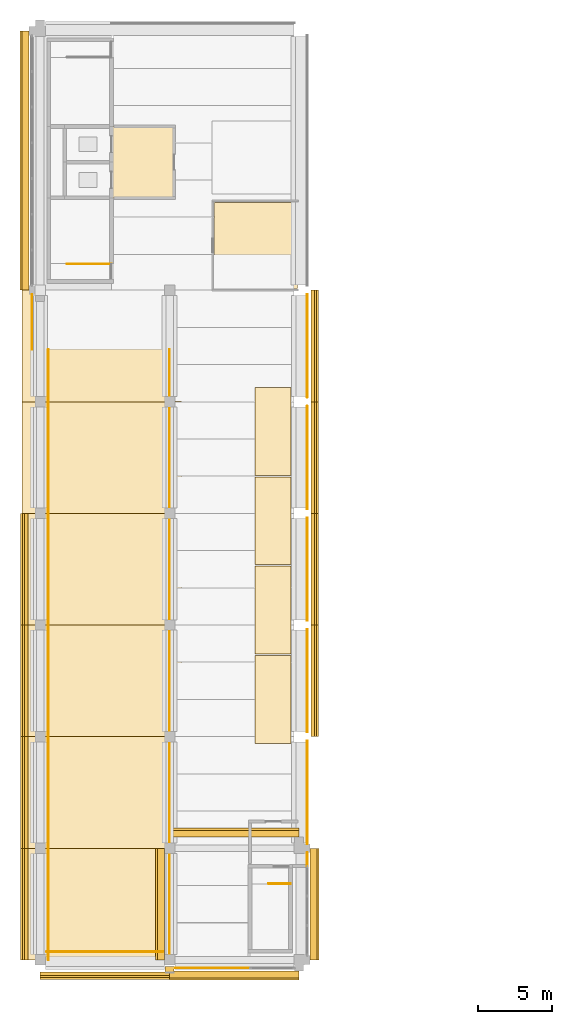
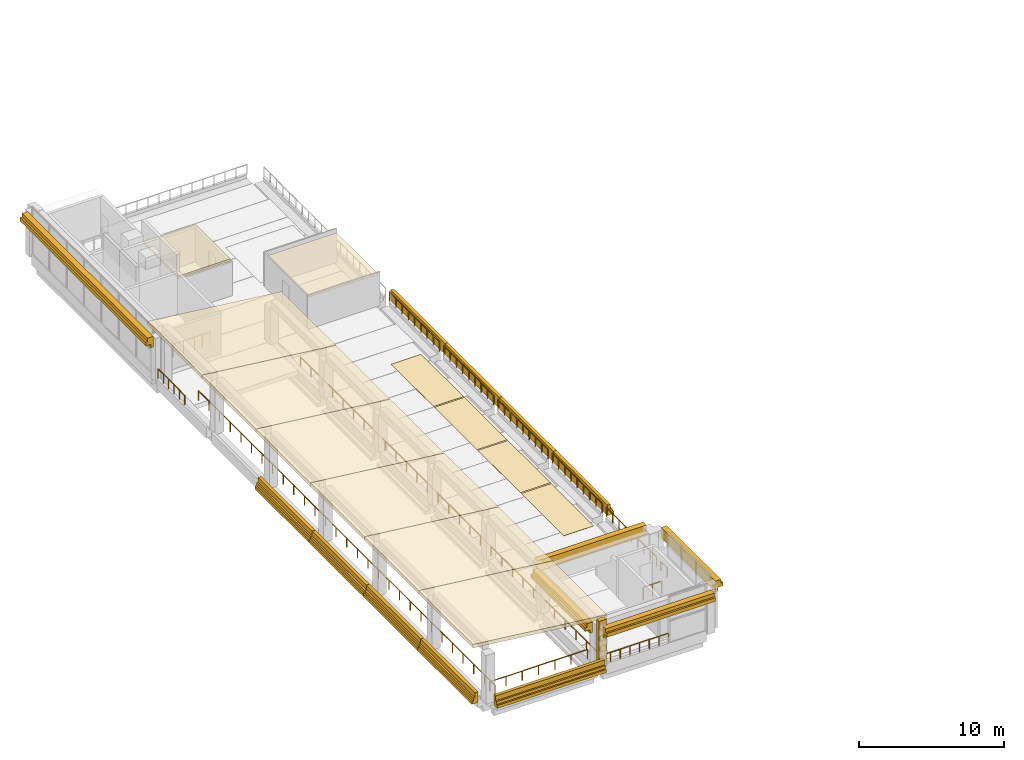
# One storey, part 12 of 17: 27 coverings, 14 railings, 2 elements without a shape of their own.
"""IFC4 building model written with IfcOpenShell, lengths in metres."""

import ifcopenshell
import ifcopenshell.guid

model = None  # the IFC model being written
_history = None  # IfcOwnerHistory: only IFC2X3 demands one
_inside = {}  # id of a spatial element -> (the spatial element, [elements in it])
_under = {}  # id of a project, library or spatial element -> (it, [spatial elements below it])
_declared = {}  # id of a project -> (the project, [libraries it declares])
_typed = {}  # id of a type object -> (the type object, [elements of that type])
_made_of = {}  # id of a material, layer set ... -> (it, [elements and type objects made of it])


def new_model(schema):
    """Start an empty IFC model of exactly this schema.

    Asked for "IFC4X3", IfcOpenShell would pick the latest addendum, in which some entities
    have other attributes; the version numbers below select the first issue.
    IFC2X3 requires an IfcOwnerHistory on every rooted entity: one is made here for all.
    """
    global model, _history
    if schema == "IFC4X3":
        model = ifcopenshell.file(schema_version=(4, 3, 0, 0))
    else:
        model = ifcopenshell.file(schema=schema)
    _inside.clear()
    _under.clear()
    _declared.clear()
    _typed.clear()
    _made_of.clear()
    _history = None
    if model.schema == "IFC2X3":
        org = make("IfcOrganization", Name="unknown")
        user = make(
            "IfcPersonAndOrganization",
            ThePerson=make("IfcPerson", FamilyName="unknown"),
            TheOrganization=org,
        )
        app = make(
            "IfcApplication",
            ApplicationDeveloper=org,
            Version="unknown",
            ApplicationFullName="unknown",
            ApplicationIdentifier="unknown",
        )
        _history = make(
            "IfcOwnerHistory",
            OwningUser=user,
            OwningApplication=app,
            ChangeAction="ADDED",
            CreationDate=0,
        )
    return model


def make(cls, **values):
    """One entity of the class cls with the attributes given. An attribute that is None is left unset."""
    return model.create_entity(
        cls, **{name: value for name, value in values.items() if value is not None}
    )


def rooted(cls, **values):
    """An entity with a GlobalId (a new one), such as an element, a storey or a relation."""
    return make(cls, GlobalId=ifcopenshell.guid.new(), OwnerHistory=_history, **values)


def si_unit(unit_type, name, prefix=None):
    """IfcSIUnit, for example si_unit("LENGTHUNIT", "METRE", prefix="MILLI")."""
    return make("IfcSIUnit", UnitType=unit_type, Prefix=prefix, Name=name)


def assignment(units):
    """IfcUnitAssignment: the units of a project."""
    return None if units is None else make("IfcUnitAssignment", Units=units)


def point(xyz):
    """IfcCartesianPoint."""
    return None if xyz is None else make("IfcCartesianPoint", Coordinates=xyz)


def direction(xyz):
    """IfcDirection."""
    return None if xyz is None else make("IfcDirection", DirectionRatios=xyz)


def frame(location, z_axis=None, x_axis=None):
    """IfcAxis2Placement3D, a coordinate frame: its origin and axes. An axis left out is left unset."""
    return make(
        "IfcAxis2Placement3D",
        Location=point(location),
        Axis=direction(z_axis),
        RefDirection=direction(x_axis),
    )


def frame_2d(location, x_axis=None):
    """IfcAxis2Placement2D, a coordinate frame in the plane: its origin and x axis."""
    return make(
        "IfcAxis2Placement2D", Location=point(location), RefDirection=direction(x_axis)
    )


def origin():
    """The frame at (0, 0, 0) with its axes left unset."""
    return frame((0.0, 0.0, 0.0))


def origin_2d():
    """The frame at (0, 0) in the plane with its x axis left unset."""
    return frame_2d((0.0, 0.0))


def place(relative_to, where):
    """IfcLocalPlacement: puts the frame where relative to a parent placement (None: the world)."""
    return make(
        "IfcLocalPlacement", PlacementRelTo=relative_to, RelativePlacement=where
    )


def context(
    kind, dimensions, precision=None, world=None, true_north=None, identifier=None
):
    """IfcGeometricRepresentationContext, for example the 3D "Model" context."""
    return make(
        "IfcGeometricRepresentationContext",
        ContextIdentifier=identifier,
        ContextType=kind,
        CoordinateSpaceDimension=dimensions,
        Precision=precision,
        WorldCoordinateSystem=world,
        TrueNorth=true_north,
    )


def subcontext(parent, identifier, kind, view, scale=None):
    """IfcGeometricRepresentationSubContext, for example "Body" below "Model"."""
    return make(
        "IfcGeometricRepresentationSubContext",
        ContextIdentifier=identifier,
        ContextType=kind,
        ParentContext=parent,
        TargetScale=scale,
        TargetView=view,
    )


def project(units=None, contexts=None):
    """IfcProject with its units and contexts."""
    return rooted(
        "IfcProject",
        Name="project",
        RepresentationContexts=contexts,
        UnitsInContext=assignment(units),
    )


def spatial(cls, under=None, at=None, **own):
    """A site, building, storey or space (cls), placed at a placement, below another one or the project."""
    s = rooted(cls, ObjectPlacement=at, **own)
    if under is not None:
        _under.setdefault(under.id(), (under, []))[1].append(s)
    return s


def polyline(points):
    """IfcPolyline through the points."""
    return make("IfcPolyline", Points=[point(p) for p in points])


def profile(cls, at=None, kind="AREA", **sizes):
    """A parametric profile (cls). Its sizes go by their IFC names, for example OverallWidth=200.0."""
    return make(cls, ProfileType=kind, Position=at, **sizes)


def circle(**sizes):
    """IfcCircleProfileDef."""
    return profile("IfcCircleProfileDef", **sizes)


def outline(outer, holes=None, kind="AREA"):
    """IfcArbitraryClosedProfileDef: a profile drawn as a closed curve; with holes, ...WithVoids."""
    if holes is None:
        return make("IfcArbitraryClosedProfileDef", ProfileType=kind, OuterCurve=outer)
    return make(
        "IfcArbitraryProfileDefWithVoids",
        ProfileType=kind,
        OuterCurve=outer,
        InnerCurves=holes,
    )


def extrude(swept, where, along, depth):
    """IfcExtrudedAreaSolid: the profile swept, set in the frame where, extruded along a direction by depth."""
    return make(
        "IfcExtrudedAreaSolid",
        SweptArea=swept,
        Position=where,
        ExtrudedDirection=direction(along),
        Depth=depth,
    )


def shape(context_of_items, identifier, shape_type, items):
    """IfcShapeRepresentation: the items that make up one representation, for example the "Body"."""
    return make(
        "IfcShapeRepresentation",
        ContextOfItems=context_of_items,
        RepresentationIdentifier=identifier,
        RepresentationType=shape_type,
        Items=items,
    )


def material(Name=None, Category=None):
    """IfcMaterial."""
    return make("IfcMaterial", Name=Name, Category=Category)


def layer(
    of_material, thickness, ventilated=None, Name=None, Category=None, Priority=None
):
    """IfcMaterialLayer: one layer of a wall or slab, of a material (None: an air gap)."""
    return make(
        "IfcMaterialLayer",
        Material=of_material,
        LayerThickness=thickness,
        IsVentilated=ventilated,
        Name=Name,
        Category=Category,
        Priority=Priority,
    )


def layer_set(layers, Name=None):
    """IfcMaterialLayerSet."""
    return make("IfcMaterialLayerSet", MaterialLayers=layers, LayerSetName=Name)


def material_profile(
    of_material, cross_section, Name=None, Category=None, Priority=None
):
    """IfcMaterialProfile: a cross section and its material."""
    return make(
        "IfcMaterialProfile",
        Name=Name,
        Material=of_material,
        Profile=cross_section,
        Priority=Priority,
        Category=Category,
    )


def profile_set(profiles, Name=None, composite=None):
    """IfcMaterialProfileSet."""
    return make(
        "IfcMaterialProfileSet",
        Name=Name,
        MaterialProfiles=profiles,
        CompositeProfile=composite,
    )


def made_of(thing, what):
    """Note that an element or type object is made of a material, layer set ...; save() writes the relation."""
    if what is not None:
        _made_of.setdefault(what.id(), (what, []))[1].append(thing)
    return thing


def type_object(cls, material=None, **own):
    """A type object (cls), such as IfcWallType, which elements share."""
    return made_of(rooted(cls, **own), material)


def element(
    cls,
    number,
    at=None,
    inside=None,
    cuts=None,
    type_object=None,
    material=None,
    context=None,
    identifier="Body",
    shape_type=None,
    held_by="IfcProductDefinitionShape",
    body=None,
    shapes=None,
    **own,
):
    """One element of the class cls, such as IfcWall. Its Tag is "e" and its number.

    at: its placement. inside: the storey or other place that contains it. cuts: it is an
    opening in that element (IfcRelVoidsElement). A single representation is given by context,
    identifier, shape_type and body (its items); several are given by shapes. held_by: the class
    of the entity that holds the representations. save() writes the other relations.
    """
    e = rooted(cls, Tag="e%d" % number, ObjectPlacement=at, **own)
    if body is not None:
        shapes = [shape(context, identifier, shape_type, body)]
    if shapes is not None:
        e.Representation = make(held_by, Representations=shapes)
    if inside is not None:
        _inside.setdefault(inside.id(), (inside, []))[1].append(e)
    if cuts is not None:
        rooted(
            "IfcRelVoidsElement", RelatingBuildingElement=cuts, RelatedOpeningElement=e
        )
    if type_object is not None:
        _typed.setdefault(type_object.id(), (type_object, []))[1].append(e)
    return made_of(e, material)


def aggregate(whole, parts):
    """IfcRelAggregates: a whole, such as a stair, and the parts it consists of."""
    return rooted("IfcRelAggregates", RelatingObject=whole, RelatedObjects=parts)


def save(model, path):
    """Write the relations noted so far, then the file.

    IfcRelAggregates (storeys below a building ...), IfcRelContainedInSpatialStructure (elements
    in a storey), IfcRelDefinesByType, IfcRelAssociatesMaterial and IfcRelDeclares: one each for
    every whole, place, type object, material and project.
    """
    for whole, parts in _under.values():
        aggregate(whole, parts)
    for where, things in _inside.values():
        rooted(
            "IfcRelContainedInSpatialStructure",
            RelatedElements=things,
            RelatingStructure=where,
        )
    for kind, things in _typed.values():
        rooted("IfcRelDefinesByType", RelatedObjects=things, RelatingType=kind)
    for what, things in _made_of.values():
        rooted("IfcRelAssociatesMaterial", RelatedObjects=things, RelatingMaterial=what)
    for by, libraries in _declared.values():
        rooted("IfcRelDeclares", RelatingContext=by, RelatedDefinitions=libraries)
    model.write(path)


model = new_model("IFC4")

# Units and contexts
model_context = context("Model", 3, precision=1e-05, world=origin(), true_north=direction((0.0, 1.0)))
body_context = subcontext(model_context, "Body", "Model", "MODEL_VIEW")
ifc_project = project(units=[si_unit("LENGTHUNIT", "METRE"), si_unit("AREAUNIT", "SQUARE_METRE"), si_unit("VOLUMEUNIT", "CUBIC_METRE"), si_unit("PLANEANGLEUNIT", "RADIAN"), si_unit("MASSUNIT", "GRAM", prefix="KILO")], contexts=[model_context])

# Site, building, storey
site_placement = place(None, origin())
site = spatial("IfcSite", under=ifc_project, at=site_placement, CompositionType="ELEMENT")
building_placement = place(site_placement, origin())
building = spatial("IfcBuilding", under=site, at=building_placement, Name="Cour d'Honneur Mobility Palace", CompositionType="ELEMENT")
storey_placement = place(building_placement, frame((0.0, 0.0, 34.10009765625)))
storey = spatial("IfcBuildingStorey", under=building, at=storey_placement, Name="L09", CompositionType="ELEMENT", Elevation=34.10009765625)

# Railings
ifc_material_1 = material(Name="Painted steel", Category="steel")
railing_type_1 = type_object("IfcRailingType", Name="Balustrade", PredefinedType="BALUSTRADE", material=ifc_material_1)
railing_1_placement = place(storey_placement, frame((8.699951171875, -0.550048828125, 0.2998046875)))
element("IfcRailing", 1, at=railing_1_placement, inside=storey, type_object=railing_type_1, Name="Balustrade BAL-412", PredefinedType="BALUSTRADE", context=body_context, shape_type="SweptSolid", body=[
    extrude(circle(Radius=0.02392578125, at=origin_2d()), frame((0.0, 0.0, 0.77587890625), z_axis=(1.0, 0.0, 0.0), x_axis=(0.0, 1.0, 0.0)), (0.0, 0.0, 1.0), 5.400146484375),
    extrude(circle(Radius=0.02099609375, at=origin_2d()), origin(), (0.0, 0.0, 1.0), 0.751953125),
    extrude(circle(Radius=0.02099609375, at=origin_2d()), frame((0.771484375, 0.0, 0.0)), (0.0, 0.0, 1.0), 0.751953125),
    extrude(circle(Radius=0.02099609375, at=origin_2d()), frame((1.54296875, 0.0, 0.0)), (0.0, 0.0, 1.0), 0.751953125),
    extrude(circle(Radius=0.02099609375, at=origin_2d()), frame((2.314453125, 0.0, 0.0)), (0.0, 0.0, 1.0), 0.751953125),
    extrude(circle(Radius=0.02099609375, at=origin_2d()), frame((3.085693359375, 0.0, 0.0)), (0.0, 0.0, 1.0), 0.751953125),
    extrude(circle(Radius=0.02099609375, at=origin_2d()), frame((3.857177734375, 0.0, 0.0)), (0.0, 0.0, 1.0), 0.751953125),
    extrude(circle(Radius=0.02099609375, at=origin_2d()), frame((4.628662109375, 0.0, 0.0)), (0.0, 0.0, 1.0), 0.751953125),
    extrude(circle(Radius=0.02099609375, at=origin_2d()), frame((5.400146484375, 0.0, 0.0)), (0.0, 0.0, 1.0), 0.751953125),
])
railing_2_placement = place(storey_placement, frame((17.949951171875, 6.300048828125, 0.2998046875)))
element("IfcRailing", 2, at=railing_2_placement, inside=storey, type_object=railing_type_1, Name="Balustrade BAL-413", PredefinedType="BALUSTRADE", context=body_context, shape_type="SweptSolid", body=[
    extrude(circle(Radius=0.02392578125, at=origin_2d()), frame((0.0, 0.0, 0.77587890625), z_axis=(0.0, 1.0, 0.0), x_axis=(-1.0, 0.0, 0.0)), (0.0, 0.0, 1.0), 0.89990234375),
    extrude(circle(Radius=0.02099609375, at=origin_2d()), origin(), (0.0, 0.0, 1.0), 0.751953125),
    extrude(circle(Radius=0.02099609375, at=origin_2d()), frame((0.0, 0.89990234375, 0.0)), (0.0, 0.0, 1.0), 0.751953125),
])
for number, where, name in (
    (3, (17.949951171875, 7.800048828125, 0.2998046875), "Balustrade BAL-414"),
    (4, (17.949951171875, 15.300048828125, 0.2998046875), "Balustrade BAL-415"),
    (5, (17.949951171875, 22.800048828125, 0.2998046875), "Balustrade BAL-416"),
    (6, (17.949951171875, 30.300048828125, 0.2998046875), "Balustrade BAL-417"),
    (7, (17.949951171875, 37.800048828125, 0.2998046875), "Balustrade BAL-418"),
):
    element("IfcRailing", number, at=place(storey_placement, frame(where)), inside=storey, type_object=railing_type_1, Name=name, PredefinedType="BALUSTRADE", context=body_context, shape_type="SweptSolid", body=[
        extrude(circle(Radius=0.02392578125, at=origin_2d()), frame((0.0, 0.0, 0.77587890625), z_axis=(0.0, 1.0, 0.0), x_axis=(-1.0, 0.0, 0.0)), (0.0, 0.0, 1.0), 6.89990234375),
        extrude(circle(Radius=0.02099609375, at=origin_2d()), origin(), (0.0, 0.0, 1.0), 0.751953125),
        extrude(circle(Radius=0.02099609375, at=origin_2d()), frame((0.0, 0.862548828125, 0.0)), (0.0, 0.0, 1.0), 0.751953125),
        extrude(circle(Radius=0.02099609375, at=origin_2d()), frame((0.0, 1.72509765625, 0.0)), (0.0, 0.0, 1.0), 0.751953125),
        extrude(circle(Radius=0.02099609375, at=origin_2d()), frame((0.0, 2.58740234375, 0.0)), (0.0, 0.0, 1.0), 0.751953125),
        extrude(circle(Radius=0.02099609375, at=origin_2d()), frame((0.0, 3.449951171875, 0.0)), (0.0, 0.0, 1.0), 0.751953125),
        extrude(circle(Radius=0.02099609375, at=origin_2d()), frame((0.0, 4.3125, 0.0)), (0.0, 0.0, 1.0), 0.751953125),
        extrude(circle(Radius=0.02099609375, at=origin_2d()), frame((0.0, 5.1748046875, 0.0)), (0.0, 0.0, 1.0), 0.751953125),
        extrude(circle(Radius=0.02099609375, at=origin_2d()), frame((0.0, 6.037353515625, 0.0)), (0.0, 0.0, 1.0), 0.751953125),
        extrude(circle(Radius=0.02099609375, at=origin_2d()), frame((0.0, 6.89990234375, 0.0)), (0.0, 0.0, 1.0), 0.751953125),
    ])
railing_3_placement = place(storey_placement, frame((-0.550048828125, 44.699951171875, 0.2998046875)))
element("IfcRailing", 8, at=railing_3_placement, inside=storey, type_object=railing_type_1, Name="Balustrade BAL-421", PredefinedType="BALUSTRADE", context=body_context, shape_type="SweptSolid", body=[
    extrude(circle(Radius=0.02392578125, at=origin_2d()), frame((0.0, 0.0, 0.77587890625), z_axis=(0.0, -1.0, 0.0), x_axis=(1.0, 0.0, 0.0)), (0.0, 0.0, 1.0), 3.699951171875),
    extrude(circle(Radius=0.02099609375, at=origin_2d()), origin(), (0.0, 0.0, 1.0), 0.751953125),
    extrude(circle(Radius=0.02099609375, at=origin_2d()), frame((0.0, -0.739990234375, 0.0)), (0.0, 0.0, 1.0), 0.751953125),
    extrude(circle(Radius=0.02099609375, at=origin_2d()), frame((0.0, -1.47998046875, 0.0)), (0.0, 0.0, 1.0), 0.751953125),
    extrude(circle(Radius=0.02099609375, at=origin_2d()), frame((0.0, -2.219970703125, 0.0)), (0.0, 0.0, 1.0), 0.751953125),
    extrude(circle(Radius=0.02099609375, at=origin_2d()), frame((0.0, -2.9599609375, 0.0)), (0.0, 0.0, 1.0), 0.751953125),
    extrude(circle(Radius=0.02099609375, at=origin_2d()), frame((0.0, -3.699951171875, 0.0)), (0.0, 0.0, 1.0), 0.751953125),
])

# Coverings
ifc_material_2 = material(Name="Cast limestone", Category="masonry")
ifc_layer_1 = layer(ifc_material_2, 0.5)
ifc_layer_set_1 = layer_set([ifc_layer_1], Name="Cast limestone")
covering_type_1 = type_object("IfcCoveringType", Name="Crown cornice", PredefinedType="CLADDING", material=ifc_layer_set_1)
covering_1_placement = place(storey_placement, frame((0.0, -0.800048828125, 0.099853515625), z_axis=(-1.0, 0.0, 0.0), x_axis=(0.0, -1.0, 0.0)))
element("IfcCovering", 9, at=covering_1_placement, inside=storey, type_object=covering_type_1, Name="Crown cornice CN-64", PredefinedType="CLADDING", context=body_context, shape_type="SweptSolid", body=[
    extrude(outline(polyline([(0.0, 0.0), (0.5, 0.0), (0.5, 0.25), (0.3798828125, 0.25), (0.3798828125, 0.5), (0.25, 0.5), (0.25, 0.900146484375), (0.0, 0.900146484375), (0.0, 0.0)])), origin(), (0.0, 0.0, -1.0), 8.699951171875),
])
for number, where, z_axis, x_axis, name in (
    (10, (18.199951171875, 15.0, 0.099853515625), (0.0, -1.0, 0.0), (1.0, 0.0, 0.0), "Crown cornice CN-65"),
    (11, (18.199951171875, 22.5, 0.099853515625), (0.0, -1.0, 0.0), (1.0, 0.0, 0.0), "Crown cornice CN-66"),
    (12, (18.199951171875, 30.0, 0.099853515625), (0.0, -1.0, 0.0), (1.0, 0.0, 0.0), "Crown cornice CN-67"),
    (13, (18.199951171875, 37.5, 0.099853515625), (0.0, -1.0, 0.0), (1.0, 0.0, 0.0), "Crown cornice CN-68"),
):
    element("IfcCovering", number, at=place(storey_placement, frame(where, z_axis=z_axis, x_axis=x_axis)), inside=storey, type_object=covering_type_1, Name=name, PredefinedType="CLADDING", context=body_context, shape_type="SweptSolid", body=[
        extrude(outline(polyline([(0.0, 0.0), (0.5, 0.0), (0.5, 0.25), (0.380126953125, 0.25), (0.380126953125, 0.5), (0.25, 0.5), (0.25, 0.900146484375), (0.0, 0.900146484375), (0.0, 0.0)])), origin(), (0.0, 0.0, -1.0), 7.5),
    ])
for number, where, z_axis, x_axis, name in (
    (14, (-0.800048828125, 30.0, 0.099853515625), (0.0, 1.0, 0.0), (-1.0, 0.0, 0.0), "Crown cornice CN-69"),
    (15, (-0.800048828125, 22.5, 0.099853515625), (0.0, 1.0, 0.0), (-1.0, 0.0, 0.0), "Crown cornice CN-70"),
    (16, (-0.800048828125, 15.0, 0.099853515625), (0.0, 1.0, 0.0), (-1.0, 0.0, 0.0), "Crown cornice CN-71"),
    (17, (-0.800048828125, 7.5, 0.099853515625), (0.0, 1.0, 0.0), (-1.0, 0.0, 0.0), "Crown cornice CN-72"),
):
    element("IfcCovering", number, at=place(storey_placement, frame(where, z_axis=z_axis, x_axis=x_axis)), inside=storey, type_object=covering_type_1, Name=name, PredefinedType="CLADDING", context=body_context, shape_type="SweptSolid", body=[
        extrude(outline(polyline([(0.0, 0.0), (0.5, 0.0), (0.5, 0.25), (0.3798828125, 0.25), (0.3798828125, 0.5), (0.25, 0.5), (0.25, 0.900146484375), (0.0, 0.900146484375), (0.0, 0.0)])), origin(), (0.0, 0.0, -1.0), 7.5),
    ])
covering_2_placement = place(storey_placement, frame((8.35009765625, 7.5, 2.7998046875), z_axis=(0.0, 1.0, 0.0), x_axis=(-1.0, 0.0, 0.0)))
element("IfcCovering", 18, at=covering_2_placement, inside=storey, type_object=covering_type_1, Name="Crown cornice CN-83", PredefinedType="CLADDING", context=body_context, shape_type="SweptSolid", body=[
    extrude(outline(polyline([(0.0, 0.0), (0.2001953125, 0.0), (0.2001953125, 0.300048828125), (0.60009765625, 0.300048828125), (0.60009765625, 0.60009765625), (0.4501953125, 0.60009765625), (0.4501953125, 0.900146484375), (0.0, 0.900146484375), (0.0, 0.0)])), origin(), (0.0, 0.0, -1.0), 7.5),
])
covering_3_placement = place(storey_placement, frame((8.699951171875, -0.75, 2.7998046875), z_axis=(-1.0, 0.0, 0.0), x_axis=(0.0, -1.0, 0.0)))
element("IfcCovering", 19, at=covering_3_placement, inside=storey, type_object=covering_type_1, Name="Crown cornice CN-84", PredefinedType="CLADDING", context=body_context, shape_type="SweptSolid", body=[
    extrude(outline(polyline([(0.0, 0.0), (0.199951171875, 0.0), (0.199951171875, 0.300048828125), (0.60009765625, 0.300048828125), (0.60009765625, 0.60009765625), (0.449951171875, 0.60009765625), (0.449951171875, 0.900146484375), (0.0, 0.900146484375), (0.0, 0.0)])), origin(), (0.0, 0.0, -1.0), 8.699951171875),
])
covering_4_placement = place(storey_placement, frame((18.14990234375, 0.0, 2.7998046875), z_axis=(0.0, -1.0, 0.0), x_axis=(1.0, 0.0, 0.0)))
element("IfcCovering", 20, at=covering_4_placement, inside=storey, type_object=covering_type_1, Name="Crown cornice CN-85", PredefinedType="CLADDING", context=body_context, shape_type="SweptSolid", body=[
    extrude(outline(polyline([(0.0, 0.0), (0.2001953125, 0.0), (0.2001953125, 0.300048828125), (0.60009765625, 0.300048828125), (0.60009765625, 0.60009765625), (0.4501953125, 0.60009765625), (0.4501953125, 0.900146484375), (0.0, 0.900146484375), (0.0, 0.0)])), origin(), (0.0, 0.0, -1.0), 7.5),
])
covering_5_placement = place(storey_placement, frame((17.39990234375, 8.25, 2.7998046875), z_axis=(1.0, 0.0, 0.0), x_axis=(0.0, 1.0, 0.0)))
element("IfcCovering", 21, at=covering_5_placement, inside=storey, type_object=covering_type_1, Name="Crown cornice CN-86", PredefinedType="CLADDING", context=body_context, shape_type="SweptSolid", body=[
    extrude(outline(polyline([(0.0, 0.0), (0.199951171875, 0.0), (0.199951171875, 0.300048828125), (0.60009765625, 0.300048828125), (0.60009765625, 0.60009765625), (0.449951171875, 0.60009765625), (0.449951171875, 0.900146484375), (0.0, 0.900146484375), (0.0, 0.0)])), origin(), (0.0, 0.0, -1.0), 8.699951171875),
])
covering_6_placement = place(storey_placement, frame((-0.75, 62.39990234375, 2.7998046875), z_axis=(0.0, 1.0, 0.0), x_axis=(-1.0, 0.0, 0.0)))
element("IfcCovering", 22, at=covering_6_placement, inside=storey, type_object=covering_type_1, Name="Crown cornice CN-91", PredefinedType="CLADDING", context=body_context, shape_type="SweptSolid", body=[
    extrude(outline(polyline([(0.0, 0.0), (0.199951171875, 0.0), (0.199951171875, 0.300048828125), (0.60009765625, 0.300048828125), (0.60009765625, 0.60009765625), (0.449951171875, 0.60009765625), (0.449951171875, 0.900146484375), (0.0, 0.900146484375), (0.0, 0.0)])), origin(), (0.0, 0.0, -1.0), 17.39990234375),
])

# Railings
ifc_material_3 = material(Name="Painted steel", Category="steel")
railing_type_2 = type_object("IfcRailingType", Name="Guardrail 1100", PredefinedType="GUARDRAIL", material=ifc_material_3)
railing_4_placement = place(storey_placement, frame((1.824951171875, 46.7548828125, 0.0)))
element("IfcRailing", 23, at=railing_4_placement, inside=storey, type_object=railing_type_2, Name="Guard ST-CW1", PredefinedType="GUARDRAIL", context=body_context, shape_type="SweptSolid", body=[
    extrude(circle(Radius=0.02490234375, at=origin_2d()), frame((0.0, 0.0, 1.0751953125), z_axis=(1.0, 0.0, 0.0), x_axis=(0.0, 1.0, 0.0)), (0.0, 0.0, 1.0), 1.72509765625),
    extrude(circle(Radius=0.02099609375, at=origin_2d()), origin(), (0.0, 0.0, 1.0), 1.050048828125),
    extrude(circle(Radius=0.02099609375, at=origin_2d()), frame((0.862548828125, 0.0, 0.0)), (0.0, 0.0, 1.0), 1.050048828125),
    extrude(circle(Radius=0.02099609375, at=origin_2d()), frame((1.72509765625, 0.0, 0.0)), (0.0, 0.0, 1.0), 1.050048828125),
])
railing_5_placement = place(storey_placement, frame((3.550048828125, 46.7548828125, 0.0)))
element("IfcRailing", 24, at=railing_5_placement, inside=storey, type_object=railing_type_2, Name="Guard ST-CW1 top landing edge", PredefinedType="GUARDRAIL", context=body_context, shape_type="SweptSolid", body=[
    extrude(circle(Radius=0.02490234375, at=origin_2d()), frame((0.0, 0.0, 1.0751953125), z_axis=(1.0, 0.0, 0.0), x_axis=(0.0, 1.0, 0.0)), (0.0, 0.0, 1.0), 1.25),
    extrude(circle(Radius=0.02099609375, at=origin_2d()), origin(), (0.0, 0.0, 1.0), 1.050048828125),
    extrude(circle(Radius=0.02099609375, at=origin_2d()), frame((0.625, 0.0, 0.0)), (0.0, 0.0, 1.0), 1.050048828125),
    extrude(circle(Radius=0.02099609375, at=origin_2d()), frame((1.25, 0.0, 0.0)), (0.0, 0.0, 1.0), 1.050048828125),
])
railing_6_placement = place(storey_placement, frame((15.35009765625, 5.1201171875, 0.0)))
element("IfcRailing", 25, at=railing_6_placement, inside=storey, type_object=railing_type_2, Name="Guard ST-RW1", PredefinedType="GUARDRAIL", context=body_context, shape_type="SweptSolid", body=[
    extrude(circle(Radius=0.02490234375, at=origin_2d()), frame((0.0, 0.0, 1.0751953125), z_axis=(1.0, 0.0, 0.0), x_axis=(0.0, 1.0, 0.0)), (0.0, 0.0, 1.0), 1.474853515625),
    extrude(circle(Radius=0.02099609375, at=origin_2d()), origin(), (0.0, 0.0, 1.0), 1.050048828125),
    extrude(circle(Radius=0.02099609375, at=origin_2d()), frame((0.7373046875, 0.0, 0.0)), (0.0, 0.0, 1.0), 1.050048828125),
    extrude(circle(Radius=0.02099609375, at=origin_2d()), frame((1.474853515625, 0.0, 0.0)), (0.0, 0.0, 1.0), 1.050048828125),
])

# Roof, covering
ifc_material_4 = material(Name="Zinc standing seam")
ifc_layer_2 = layer(ifc_material_4, 0.199951171875)
ifc_layer_set_2 = layer_set([ifc_layer_2], Name="Zinc standing seam")
roof_type_1 = type_object("IfcRoofType", Name="Lobby roof", PredefinedType="FLAT_ROOF", material=ifc_layer_set_2)
roof_1_placement = place(storey_placement, origin())
roof_1 = element("IfcRoof", 26, at=roof_1_placement, inside=storey, type_object=roof_type_1, Name="Firefighting Lobby CW roof", PredefinedType="FLAT_ROOF")
ifc_material_5 = material(Name="Zinc standing seam")
ifc_layer_3 = layer(ifc_material_5, 0.199951171875)
ifc_layer_set_3 = layer_set([ifc_layer_3], Name="Zinc standing seam")
covering_type_2 = type_object("IfcCoveringType", Name="Lobby roof panel", PredefinedType="ROOFING", material=ifc_layer_set_3)
covering_7_placement = place(storey_placement, frame((0.0, 0.0, 2.8798828125)))
covering_7 = element("IfcCovering", 27, at=covering_7_placement, type_object=covering_type_2, Name="Firefighting Lobby CW roof panel LP-1", PredefinedType="ROOFING", context=body_context, shape_type="SweptSolid", body=[
    extrude(outline(polyline([(9.0, 51.199951171875), (9.0, 56.0), (4.800048828125, 56.0), (4.800048828125, 51.199951171875), (9.0, 51.199951171875)])), origin(), (0.0, 0.0, 1.0), 0.199951171875),
])
aggregate(roof_1, [covering_7])

# Coverings
ifc_material_6 = material(Name="Parking marking paint")
ifc_layer_4 = layer(ifc_material_6, 0.0048828125)
ifc_layer_set_4 = layer_set([ifc_layer_4], Name="Parking marking paint")
covering_type_3 = type_object("IfcCoveringType", Name="Parking bay marking", PredefinedType="FLOORING", material=ifc_layer_set_4)
covering_8_placement = place(storey_placement, origin())
element("IfcCovering", 28, at=covering_8_placement, inside=storey, type_object=covering_type_3, Name="Parking bay marking L09 5", PredefinedType="FLOORING", context=body_context, shape_type="SweptSolid", body=[
    extrude(outline(polyline([(16.85009765625, 14.550048828125), (14.449951171875, 14.550048828125), (14.449951171875, 20.449951171875), (16.85009765625, 20.449951171875), (16.85009765625, 14.550048828125)])), origin(), (0.0, 0.0, 1.0), 0.0048828125),
])
covering_9_placement = place(storey_placement, origin())
element("IfcCovering", 29, at=covering_9_placement, inside=storey, type_object=covering_type_3, Name="Parking bay marking L09 6", PredefinedType="FLOORING", context=body_context, shape_type="SweptSolid", body=[
    extrude(outline(polyline([(16.85009765625, 20.550048828125), (14.449951171875, 20.550048828125), (14.449951171875, 26.449951171875), (16.85009765625, 26.449951171875), (16.85009765625, 20.550048828125)])), origin(), (0.0, 0.0, 1.0), 0.0048828125),
])
covering_10_placement = place(storey_placement, origin())
element("IfcCovering", 30, at=covering_10_placement, inside=storey, type_object=covering_type_3, Name="Parking bay marking L09 7", PredefinedType="FLOORING", context=body_context, shape_type="SweptSolid", body=[
    extrude(outline(polyline([(16.85009765625, 26.550048828125), (14.449951171875, 26.550048828125), (14.449951171875, 32.449951171875), (16.85009765625, 32.449951171875), (16.85009765625, 26.550048828125)])), origin(), (0.0, 0.0, 1.0), 0.0048828125),
])
covering_11_placement = place(storey_placement, origin())
element("IfcCovering", 31, at=covering_11_placement, inside=storey, type_object=covering_type_3, Name="Parking bay marking L09 8", PredefinedType="FLOORING", context=body_context, shape_type="SweptSolid", body=[
    extrude(outline(polyline([(16.85009765625, 32.550048828125), (14.449951171875, 32.550048828125), (14.449951171875, 38.449951171875), (16.85009765625, 38.449951171875), (16.85009765625, 32.550048828125)])), origin(), (0.0, 0.0, 1.0), 0.0048828125),
])
ifc_material_7 = material(Name="Cast limestone", Category="masonry")
ifc_layer_5 = layer(ifc_material_7, 0.35009765625)
ifc_layer_set_5 = layer_set([ifc_layer_5], Name="Cast limestone")
covering_type_4 = type_object("IfcCoveringType", Name="Pier pilaster", PredefinedType="CLADDING", material=ifc_layer_set_5)
covering_12_placement = place(storey_placement, frame((0.0, 0.0, 0.2998046875)))
element("IfcCovering", 32, at=covering_12_placement, inside=storey, type_object=covering_type_4, Name="Pier pilaster PN-17", PredefinedType="CLADDING", context=body_context, shape_type="SweptSolid", body=[
    extrude(outline(polyline([(8.39990234375, -0.449951171875), (9.0, -0.449951171875), (9.0, -0.800048828125), (8.39990234375, -0.800048828125), (8.39990234375, -0.449951171875)])), origin(), (0.0, 0.0, 1.0), 3.900146484375),
])

# Roof, coverings
ifc_material_8 = material(Name="Concrete C50", Category="concrete")
ifc_layer_6 = layer(ifc_material_8, 0.300048828125)
ifc_layer_set_6 = layer_set([ifc_layer_6], Name="Concrete C50")
roof_type_2 = type_object("IfcRoofType", Name="Ramp house roof", PredefinedType="SHED_ROOF", material=ifc_layer_set_6)
roof_2_placement = place(storey_placement, origin())
roof_2 = element("IfcRoof", 33, at=roof_2_placement, inside=storey, type_object=roof_type_2, Name="Ramp house roof W", PredefinedType="SHED_ROOF")
ifc_material_9 = material(Name="Concrete C50", Category="concrete")
ifc_material_profile = material_profile(ifc_material_9, outline(polyline([(-0.800048828125, -0.092041015625), (9.89990234375, 1.137939453125), (9.89990234375, 1.43994140625), (-0.800048828125, 0.2099609375), (-0.800048828125, -0.092041015625)])), Name="Ramp house roof plate W")
ifc_profile_set = profile_set([ifc_material_profile], Name="Concrete C50")
covering_type_5 = type_object("IfcCoveringType", Name="Ramp house roof plate W", PredefinedType="ROOFING", material=ifc_profile_set)
covering_13_placement = place(storey_placement, frame((8.699951171875, 0.0, 3.699951171875), z_axis=(0.0, 1.0, 0.0), x_axis=(-1.0, 0.0, 0.0)))
covering_13 = element("IfcCovering", 34, at=covering_13_placement, type_object=covering_type_5, Name="Ramp house roof plate RHR-W1", PredefinedType="ROOFING", context=body_context, shape_type="SweptSolid", body=[
    extrude(outline(polyline([(-0.800048828125, -0.092041015625), (9.89990234375, 1.137939453125), (9.89990234375, 1.43994140625), (-0.800048828125, 0.2099609375), (-0.800048828125, -0.092041015625)])), origin(), (0.0, 0.0, 1.0), 7.5),
])
covering_14_placement = place(storey_placement, frame((8.699951171875, 7.5, 3.699951171875), z_axis=(0.0, 1.0, 0.0), x_axis=(-1.0, 0.0, 0.0)))
covering_14 = element("IfcCovering", 35, at=covering_14_placement, type_object=covering_type_5, Name="Ramp house roof plate RHR-W2", PredefinedType="ROOFING", context=body_context, shape_type="SweptSolid", body=[
    extrude(outline(polyline([(-0.800048828125, -0.092041015625), (9.89990234375, 1.137939453125), (9.89990234375, 1.43994140625), (-0.800048828125, 0.2099609375), (-0.800048828125, -0.092041015625)])), origin(), (0.0, 0.0, 1.0), 7.5),
])
covering_15_placement = place(storey_placement, frame((8.699951171875, 15.0, 3.699951171875), z_axis=(0.0, 1.0, 0.0), x_axis=(-1.0, 0.0, 0.0)))
covering_15 = element("IfcCovering", 36, at=covering_15_placement, type_object=covering_type_5, Name="Ramp house roof plate RHR-W3", PredefinedType="ROOFING", context=body_context, shape_type="SweptSolid", body=[
    extrude(outline(polyline([(-0.800048828125, -0.092041015625), (9.89990234375, 1.137939453125), (9.89990234375, 1.43994140625), (-0.800048828125, 0.2099609375), (-0.800048828125, -0.092041015625)])), origin(), (0.0, 0.0, 1.0), 7.5),
])
covering_16_placement = place(storey_placement, frame((8.699951171875, 22.5, 3.699951171875), z_axis=(0.0, 1.0, 0.0), x_axis=(-1.0, 0.0, 0.0)))
covering_16 = element("IfcCovering", 37, at=covering_16_placement, type_object=covering_type_5, Name="Ramp house roof plate RHR-W4", PredefinedType="ROOFING", context=body_context, shape_type="SweptSolid", body=[
    extrude(outline(polyline([(-0.800048828125, -0.092041015625), (9.89990234375, 1.137939453125), (9.89990234375, 1.43994140625), (-0.800048828125, 0.2099609375), (-0.800048828125, -0.092041015625)])), origin(), (0.0, 0.0, 1.0), 7.5),
])
covering_17_placement = place(storey_placement, frame((8.699951171875, 30.0, 3.699951171875), z_axis=(0.0, 1.0, 0.0), x_axis=(-1.0, 0.0, 0.0)))
covering_17 = element("IfcCovering", 38, at=covering_17_placement, type_object=covering_type_5, Name="Ramp house roof plate RHR-W5", PredefinedType="ROOFING", context=body_context, shape_type="SweptSolid", body=[
    extrude(outline(polyline([(-0.800048828125, -0.092041015625), (9.89990234375, 1.137939453125), (9.89990234375, 1.43994140625), (-0.800048828125, 0.2099609375), (-0.800048828125, -0.092041015625)])), origin(), (0.0, 0.0, 1.0), 7.5),
])
covering_18_placement = place(storey_placement, frame((8.699951171875, 37.5, 3.699951171875), z_axis=(0.0, 1.0, 0.0), x_axis=(-1.0, 0.0, 0.0)))
covering_18 = element("IfcCovering", 39, at=covering_18_placement, type_object=covering_type_5, Name="Ramp house roof plate RHR-W6", PredefinedType="ROOFING", context=body_context, shape_type="SweptSolid", body=[
    extrude(outline(polyline([(-0.800048828125, -0.092041015625), (9.89990234375, 1.137939453125), (9.89990234375, 1.43994140625), (-0.800048828125, 0.2099609375), (-0.800048828125, -0.092041015625)])), origin(), (0.0, 0.0, 1.0), 7.5),
])
aggregate(roof_2, [covering_13, covering_14, covering_15, covering_16, covering_17, covering_18])

# Covering
ifc_material_10 = material(Name="Suspended ceiling")
ifc_layer_7 = layer(ifc_material_10, 0.030029296875)
ifc_layer_set_7 = layer_set([ifc_layer_7], Name="Suspended ceiling")
covering_type_6 = type_object("IfcCoveringType", Name="Suspended ceiling", PredefinedType="CEILING", material=ifc_layer_set_7)
covering_19_placement = place(storey_placement, frame((0.0, 0.0, 2.5498046875)))
element("IfcCovering", 40, at=covering_19_placement, inside=storey, type_object=covering_type_6, Name="Ceiling Charging Control Room", PredefinedType="CEILING", context=body_context, shape_type="SweptSolid", body=[
    extrude(outline(polyline([(17.280029296875, 45.1201171875), (11.719970703125, 45.1201171875), (11.719970703125, 50.8798828125), (17.280029296875, 50.8798828125), (17.280029296875, 45.1201171875)])), origin(), (0.0, 0.0, 1.0), 0.030029296875),
])

# Railings
ifc_material_11 = material(Name="Painted steel", Category="steel")
railing_type_3 = type_object("IfcRailingType", Name="Void edge guard 1100", PredefinedType="GUARDRAIL", material=ifc_material_11)
railing_7_placement = place(storey_placement, frame((8.699951171875, 0.0, 0.2998046875)))
element("IfcRailing", 41, at=railing_7_placement, inside=storey, type_object=railing_type_3, Name="Void edge guard SW L09", PredefinedType="GUARDRAIL", context=body_context, shape_type="SweptSolid", body=[
    extrude(circle(Radius=0.02490234375, at=origin_2d()), frame((0.0, 0.0, 0.77490234375), z_axis=(0.0, 1.0, 0.0), x_axis=(-1.0, 0.0, 0.0)), (0.0, 0.0, 1.0), 41.0),
    extrude(circle(Radius=0.02099609375, at=origin_2d()), origin(), (0.0, 0.0, 1.0), 0.75),
    extrude(circle(Radius=0.02099609375, at=origin_2d()), frame((0.0, 1.46435546875, 0.0)), (0.0, 0.0, 1.0), 0.75),
    extrude(circle(Radius=0.02099609375, at=origin_2d()), frame((0.0, 2.928466796875, 0.0)), (0.0, 0.0, 1.0), 0.75),
    extrude(circle(Radius=0.02099609375, at=origin_2d()), frame((0.0, 4.392822265625, 0.0)), (0.0, 0.0, 1.0), 0.75),
    extrude(circle(Radius=0.02099609375, at=origin_2d()), frame((0.0, 5.857177734375, 0.0)), (0.0, 0.0, 1.0), 0.75),
    extrude(circle(Radius=0.02099609375, at=origin_2d()), frame((0.0, 7.321533203125, 0.0)), (0.0, 0.0, 1.0), 0.75),
    extrude(circle(Radius=0.02099609375, at=origin_2d()), frame((0.0, 8.78564453125, 0.0)), (0.0, 0.0, 1.0), 0.75),
    extrude(circle(Radius=0.02099609375, at=origin_2d()), frame((0.0, 10.25, 0.0)), (0.0, 0.0, 1.0), 0.75),
    extrude(circle(Radius=0.02099609375, at=origin_2d()), frame((0.0, 11.71435546875, 0.0)), (0.0, 0.0, 1.0), 0.75),
    extrude(circle(Radius=0.02099609375, at=origin_2d()), frame((0.0, 13.178466796875, 0.0)), (0.0, 0.0, 1.0), 0.75),
    extrude(circle(Radius=0.02099609375, at=origin_2d()), frame((0.0, 14.642822265625, 0.0)), (0.0, 0.0, 1.0), 0.75),
    extrude(circle(Radius=0.02099609375, at=origin_2d()), frame((0.0, 16.107177734375, 0.0)), (0.0, 0.0, 1.0), 0.75),
    extrude(circle(Radius=0.02099609375, at=origin_2d()), frame((0.0, 17.571533203125, 0.0)), (0.0, 0.0, 1.0), 0.75),
    extrude(circle(Radius=0.02099609375, at=origin_2d()), frame((0.0, 19.03564453125, 0.0)), (0.0, 0.0, 1.0), 0.75),
    extrude(circle(Radius=0.02099609375, at=origin_2d()), frame((0.0, 20.5, 0.0)), (0.0, 0.0, 1.0), 0.75),
    extrude(circle(Radius=0.02099609375, at=origin_2d()), frame((0.0, 21.96435546875, 0.0)), (0.0, 0.0, 1.0), 0.75),
    extrude(circle(Radius=0.02099609375, at=origin_2d()), frame((0.0, 23.428466796875, 0.0)), (0.0, 0.0, 1.0), 0.75),
    extrude(circle(Radius=0.02099609375, at=origin_2d()), frame((0.0, 24.892822265625, 0.0)), (0.0, 0.0, 1.0), 0.75),
    extrude(circle(Radius=0.02099609375, at=origin_2d()), frame((0.0, 26.357177734375, 0.0)), (0.0, 0.0, 1.0), 0.75),
    extrude(circle(Radius=0.02099609375, at=origin_2d()), frame((0.0, 27.821533203125, 0.0)), (0.0, 0.0, 1.0), 0.75),
    extrude(circle(Radius=0.02099609375, at=origin_2d()), frame((0.0, 29.28564453125, 0.0)), (0.0, 0.0, 1.0), 0.75),
    extrude(circle(Radius=0.02099609375, at=origin_2d()), frame((0.0, 30.75, 0.0)), (0.0, 0.0, 1.0), 0.75),
    extrude(circle(Radius=0.02099609375, at=origin_2d()), frame((0.0, 32.21435546875, 0.0)), (0.0, 0.0, 1.0), 0.75),
    extrude(circle(Radius=0.02099609375, at=origin_2d()), frame((0.0, 33.678466796875, 0.0)), (0.0, 0.0, 1.0), 0.75),
    extrude(circle(Radius=0.02099609375, at=origin_2d()), frame((0.0, 35.142822265625, 0.0)), (0.0, 0.0, 1.0), 0.75),
    extrude(circle(Radius=0.02099609375, at=origin_2d()), frame((0.0, 36.607177734375, 0.0)), (0.0, 0.0, 1.0), 0.75),
    extrude(circle(Radius=0.02099609375, at=origin_2d()), frame((0.0, 38.071533203125, 0.0)), (0.0, 0.0, 1.0), 0.75),
    extrude(circle(Radius=0.02099609375, at=origin_2d()), frame((0.0, 39.53564453125, 0.0)), (0.0, 0.0, 1.0), 0.75),
    extrude(circle(Radius=0.02099609375, at=origin_2d()), frame((0.0, 41.0, 0.0)), (0.0, 0.0, 1.0), 0.75),
])
railing_8_placement = place(storey_placement, frame((0.550048828125, 0.0, 0.2998046875)))
element("IfcRailing", 42, at=railing_8_placement, inside=storey, type_object=railing_type_3, Name="Void edge guard SW L09", PredefinedType="GUARDRAIL", context=body_context, shape_type="SweptSolid", body=[
    extrude(circle(Radius=0.02490234375, at=origin_2d()), frame((0.0, 0.0, 0.77490234375), z_axis=(0.0, 1.0, 0.0), x_axis=(-1.0, 0.0, 0.0)), (0.0, 0.0, 1.0), 41.0),
    extrude(circle(Radius=0.02099609375, at=origin_2d()), origin(), (0.0, 0.0, 1.0), 0.75),
    extrude(circle(Radius=0.02099609375, at=origin_2d()), frame((0.0, 1.46435546875, 0.0)), (0.0, 0.0, 1.0), 0.75),
    extrude(circle(Radius=0.02099609375, at=origin_2d()), frame((0.0, 2.928466796875, 0.0)), (0.0, 0.0, 1.0), 0.75),
    extrude(circle(Radius=0.02099609375, at=origin_2d()), frame((0.0, 4.392822265625, 0.0)), (0.0, 0.0, 1.0), 0.75),
    extrude(circle(Radius=0.02099609375, at=origin_2d()), frame((0.0, 5.857177734375, 0.0)), (0.0, 0.0, 1.0), 0.75),
    extrude(circle(Radius=0.02099609375, at=origin_2d()), frame((0.0, 7.321533203125, 0.0)), (0.0, 0.0, 1.0), 0.75),
    extrude(circle(Radius=0.02099609375, at=origin_2d()), frame((0.0, 8.78564453125, 0.0)), (0.0, 0.0, 1.0), 0.75),
    extrude(circle(Radius=0.02099609375, at=origin_2d()), frame((0.0, 10.25, 0.0)), (0.0, 0.0, 1.0), 0.75),
    extrude(circle(Radius=0.02099609375, at=origin_2d()), frame((0.0, 11.71435546875, 0.0)), (0.0, 0.0, 1.0), 0.75),
    extrude(circle(Radius=0.02099609375, at=origin_2d()), frame((0.0, 13.178466796875, 0.0)), (0.0, 0.0, 1.0), 0.75),
    extrude(circle(Radius=0.02099609375, at=origin_2d()), frame((0.0, 14.642822265625, 0.0)), (0.0, 0.0, 1.0), 0.75),
    extrude(circle(Radius=0.02099609375, at=origin_2d()), frame((0.0, 16.107177734375, 0.0)), (0.0, 0.0, 1.0), 0.75),
    extrude(circle(Radius=0.02099609375, at=origin_2d()), frame((0.0, 17.571533203125, 0.0)), (0.0, 0.0, 1.0), 0.75),
    extrude(circle(Radius=0.02099609375, at=origin_2d()), frame((0.0, 19.03564453125, 0.0)), (0.0, 0.0, 1.0), 0.75),
    extrude(circle(Radius=0.02099609375, at=origin_2d()), frame((0.0, 20.5, 0.0)), (0.0, 0.0, 1.0), 0.75),
    extrude(circle(Radius=0.02099609375, at=origin_2d()), frame((0.0, 21.96435546875, 0.0)), (0.0, 0.0, 1.0), 0.75),
    extrude(circle(Radius=0.02099609375, at=origin_2d()), frame((0.0, 23.428466796875, 0.0)), (0.0, 0.0, 1.0), 0.75),
    extrude(circle(Radius=0.02099609375, at=origin_2d()), frame((0.0, 24.892822265625, 0.0)), (0.0, 0.0, 1.0), 0.75),
    extrude(circle(Radius=0.02099609375, at=origin_2d()), frame((0.0, 26.357177734375, 0.0)), (0.0, 0.0, 1.0), 0.75),
    extrude(circle(Radius=0.02099609375, at=origin_2d()), frame((0.0, 27.821533203125, 0.0)), (0.0, 0.0, 1.0), 0.75),
    extrude(circle(Radius=0.02099609375, at=origin_2d()), frame((0.0, 29.28564453125, 0.0)), (0.0, 0.0, 1.0), 0.75),
    extrude(circle(Radius=0.02099609375, at=origin_2d()), frame((0.0, 30.75, 0.0)), (0.0, 0.0, 1.0), 0.75),
    extrude(circle(Radius=0.02099609375, at=origin_2d()), frame((0.0, 32.21435546875, 0.0)), (0.0, 0.0, 1.0), 0.75),
    extrude(circle(Radius=0.02099609375, at=origin_2d()), frame((0.0, 33.678466796875, 0.0)), (0.0, 0.0, 1.0), 0.75),
    extrude(circle(Radius=0.02099609375, at=origin_2d()), frame((0.0, 35.142822265625, 0.0)), (0.0, 0.0, 1.0), 0.75),
    extrude(circle(Radius=0.02099609375, at=origin_2d()), frame((0.0, 36.607177734375, 0.0)), (0.0, 0.0, 1.0), 0.75),
    extrude(circle(Radius=0.02099609375, at=origin_2d()), frame((0.0, 38.071533203125, 0.0)), (0.0, 0.0, 1.0), 0.75),
    extrude(circle(Radius=0.02099609375, at=origin_2d()), frame((0.0, 39.53564453125, 0.0)), (0.0, 0.0, 1.0), 0.75),
    extrude(circle(Radius=0.02099609375, at=origin_2d()), frame((0.0, 41.0, 0.0)), (0.0, 0.0, 1.0), 0.75),
])
railing_9_placement = place(storey_placement, frame((0.449951171875, 0.550048828125, 0.2998046875)))
element("IfcRailing", 43, at=railing_9_placement, inside=storey, type_object=railing_type_3, Name="Void edge guard SW L09", PredefinedType="GUARDRAIL", context=body_context, shape_type="SweptSolid", body=[
    extrude(circle(Radius=0.02490234375, at=origin_2d()), frame((0.0, 0.0, 0.77490234375), z_axis=(1.0, 0.0, 0.0), x_axis=(0.0, 1.0, 0.0)), (0.0, 0.0, 1.0), 7.800048828125),
    extrude(circle(Radius=0.02099609375, at=origin_2d()), origin(), (0.0, 0.0, 1.0), 0.75),
    extrude(circle(Radius=0.02099609375, at=origin_2d()), frame((1.300048828125, 0.0, 0.0)), (0.0, 0.0, 1.0), 0.75),
    extrude(circle(Radius=0.02099609375, at=origin_2d()), frame((2.60009765625, 0.0, 0.0)), (0.0, 0.0, 1.0), 0.75),
    extrude(circle(Radius=0.02099609375, at=origin_2d()), frame((3.89990234375, 0.0, 0.0)), (0.0, 0.0, 1.0), 0.75),
    extrude(circle(Radius=0.02099609375, at=origin_2d()), frame((5.199951171875, 0.0, 0.0)), (0.0, 0.0, 1.0), 0.75),
    extrude(circle(Radius=0.02099609375, at=origin_2d()), frame((6.5, 0.0, 0.0)), (0.0, 0.0, 1.0), 0.75),
    extrude(circle(Radius=0.02099609375, at=origin_2d()), frame((7.800048828125, 0.0, 0.0)), (0.0, 0.0, 1.0), 0.75),
])

save(model, "model.ifc")
